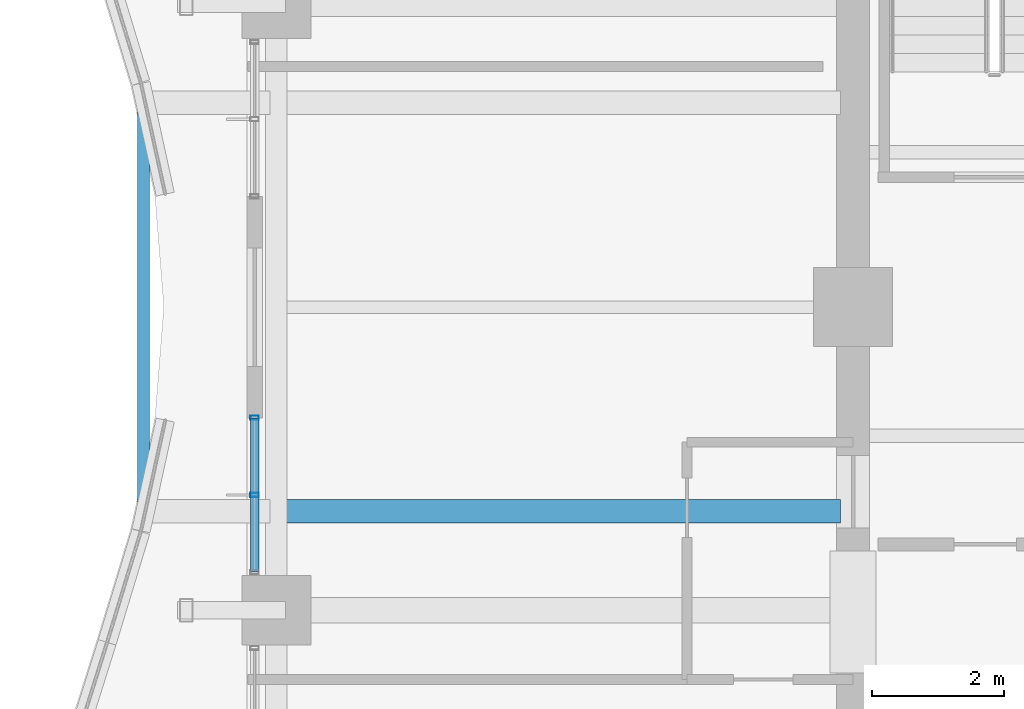
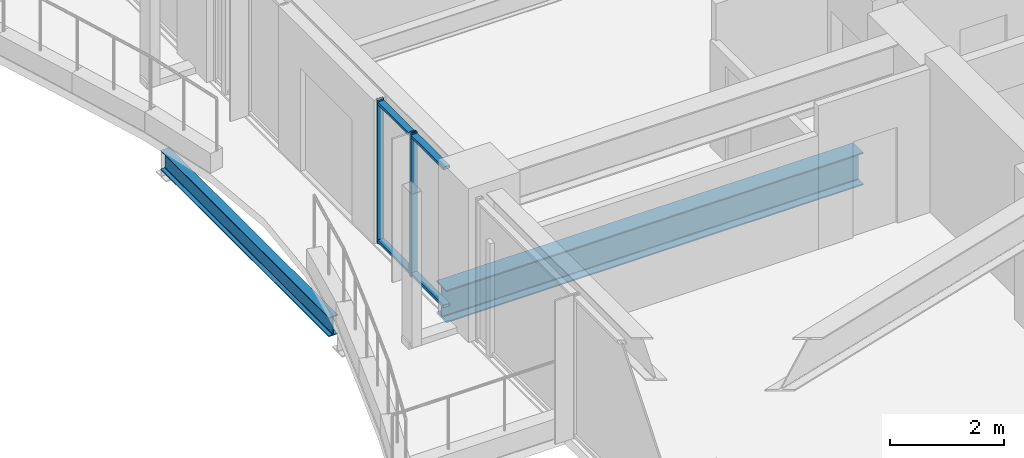
# One storey, part 8 of 35: 4 members, 2 beams, 1 element without a shape of its own.
"""IFC4 building model written with IfcOpenShell, lengths in metres."""

from ifc_helpers import new_model, si_unit, direction, frame, origin, origin_2d, place, context, subcontext, project, spatial, hollow_rectangle, i_section, extrude, material, material_profile, profile_set, type_object, element, aggregate, save


model = new_model("IFC4")

# Units and contexts
model_context = context("Model", 3, precision=1e-05, world=origin(), true_north=direction((0.0, 1.0)))
body_context = subcontext(model_context, "Body", "Model", "MODEL_VIEW")
ifc_project = project(units=[si_unit("LENGTHUNIT", "METRE"), si_unit("AREAUNIT", "SQUARE_METRE"), si_unit("VOLUMEUNIT", "CUBIC_METRE"), si_unit("PLANEANGLEUNIT", "RADIAN"), si_unit("MASSUNIT", "GRAM", prefix="KILO")], contexts=[model_context])

# Site, building, storey
site_placement = place(None, origin())
site = spatial("IfcSite", under=ifc_project, at=site_placement, CompositionType="ELEMENT")
building_placement = place(site_placement, origin())
building = spatial("IfcBuilding", under=site, at=building_placement, Name="Kolvaren Belvedere", CompositionType="ELEMENT")
storey_placement = place(building_placement, frame((0.0, 0.0, 115.10009765625)))
storey = spatial("IfcBuildingStorey", under=building, at=storey_placement, Name="L33", CompositionType="ELEMENT", Elevation=115.10009765625)

# Beams
ifc_material_1 = material(Name="Structural steel ASTM A992 Grade 50", Category="steel")
ifc_material_profile_1 = material_profile(ifc_material_1, i_section(OverallWidth=0.180908203125, OverallDepth=0.4169921875, WebThickness=0.010986328125, FlangeThickness=0.018310546875, FilletRadius=0.013916015625, at=origin_2d()), Name="W16X57")
ifc_profile_set_1 = profile_set([ifc_material_profile_1], Name="Structural steel ASTM A992 Grade 50")
beam_type_1 = type_object("IfcBeamType", Name="BM-EDGE-W16X57", PredefinedType="BEAM", material=ifc_profile_set_1)
beam_1_placement = place(storey_placement, frame((-20.664306640625, -2.9599609375, -0.4287109375), z_axis=(0.0, 1.0, 0.0), x_axis=(-1.0, 0.0, 0.0)))
element("IfcBeam", 1, at=beam_1_placement, inside=storey, type_object=beam_type_1, Name="L33 Balcony Tip Header Beam BAL-W", PredefinedType="BEAM", context=body_context, shape_type="SweptSolid", body=[
    extrude(i_section(OverallWidth=0.180908203125, OverallDepth=0.4169921875, WebThickness=0.010986328125, FlangeThickness=0.018310546875, FilletRadius=0.013916015625, at=origin_2d()), origin(), (0.0, 0.0, 1.0), 5.919921875),
])
ifc_material_2 = material(Name="Structural steel ASTM A992 Grade 50", Category="steel")
ifc_material_profile_2 = material_profile(ifc_material_2, i_section(OverallWidth=0.35498046875, OverallDepth=0.696044921875, WebThickness=0.015380859375, FlangeThickness=0.02490234375, FilletRadius=0.02197265625, at=origin_2d()), Name="W27X146")
ifc_profile_set_2 = profile_set([ifc_material_profile_2], Name="Structural steel ASTM A992 Grade 50")
beam_type_2 = type_object("IfcBeamType", Name="BM-GIRD-W27X146", PredefinedType="BEAM", material=ifc_profile_set_2)
beam_2_placement = place(storey_placement, frame((-10.090087890625, -3.10009765625, -0.568115234375), z_axis=(-1.0, 0.0, 0.0), x_axis=(0.0, -1.0, 0.0)))
element("IfcBeam", 2, at=beam_2_placement, inside=storey, type_object=beam_type_2, Name="L33 Balcony Interior Back-Span Girder BAL-W-1", PredefinedType="BEAM", context=body_context, shape_type="SweptSolid", body=[
    extrude(i_section(OverallWidth=0.35498046875, OverallDepth=0.696044921875, WebThickness=0.015380859375, FlangeThickness=0.02490234375, FilletRadius=0.02197265625, at=origin_2d()), origin(), (0.0, 0.0, 1.0), 8.46484375),
])

# Curtain wall, members
ifc_material_3 = material(Name="Anodised pale-metal aluminium AA 6063-T6", Category="aluminium")
curtain_wall_type = type_object("IfcCurtainWallType", Name="CW-Z3-WAIST", PredefinedType="NOTDEFINED", material=ifc_material_3)
curtain_wall_placement = place(storey_placement, origin())
curtain_wall = element("IfcCurtainWall", 3, at=curtain_wall_placement, inside=storey, type_object=curtain_wall_type, Name="L33 Unitised Curtain Wall FCW-L33-W1-B2", PredefinedType="NOTDEFINED")
ifc_material_4 = material(Name="Anodised pale-metal aluminium AA 6063-T6", Category="aluminium")
ifc_material_profile_3 = material_profile(ifc_material_4, hollow_rectangle(XDim=0.06494140625, YDim=0.1298828125, WallThickness=0.00390625, at=origin_2d()), Name="ALU-MUL-130X65")
ifc_profile_set_3 = profile_set([ifc_material_profile_3], Name="Anodised pale-metal aluminium AA 6063-T6")
member_type_1 = type_object("IfcMemberType", Name="CW-MUL-130", PredefinedType="MULLION", material=ifc_profile_set_3)
member_1_placement = place(storey_placement, frame((-18.97998046875, -2.851318359375, 0.0), z_axis=(0.0, 0.0, 1.0), x_axis=(0.0, 1.0, 0.0)))
member_1 = element("IfcMember", 4, at=member_1_placement, type_object=member_type_1, Name="FCW-L33-W1-B2 Unitised Mullion 2", PredefinedType="MULLION", context=body_context, shape_type="SweptSolid", body=[
    extrude(hollow_rectangle(XDim=0.06494140625, YDim=0.1298828125, WallThickness=0.00390625, at=origin_2d()), origin(), (0.0, 0.0, 1.0), 3.079833984375),
])
member_2_placement = place(storey_placement, frame((-18.97998046875, -1.679931640625, 0.0), z_axis=(0.0, 0.0, 1.0), x_axis=(0.0, 1.0, 0.0)))
member_2 = element("IfcMember", 5, at=member_2_placement, type_object=member_type_1, Name="FCW-L33-W1-B2 Unitised Mullion 3", PredefinedType="MULLION", context=body_context, shape_type="SweptSolid", body=[
    extrude(hollow_rectangle(XDim=0.06494140625, YDim=0.1298828125, WallThickness=0.00390625, at=origin_2d()), origin(), (0.0, 0.0, 1.0), 3.079833984375),
])
ifc_material_5 = material(Name="Anodised pale-metal aluminium AA 6063-T6", Category="aluminium")
ifc_material_profile_4 = material_profile(ifc_material_5, hollow_rectangle(XDim=0.06005859375, YDim=0.1298828125, WallThickness=0.00390625, at=origin_2d()), Name="ALU-TRN-130X60")
ifc_profile_set_4 = profile_set([ifc_material_profile_4], Name="Anodised pale-metal aluminium AA 6063-T6")
member_type_2 = type_object("IfcMemberType", Name="CW-TRN-130", PredefinedType="USERDEFINED", material=ifc_profile_set_4)
member_3_placement = place(storey_placement, frame((-18.97998046875, -4.0224609375, 0.059814453125), z_axis=(0.0, 1.0, 0.0), x_axis=(0.0, 0.0, 1.0)))
member_3 = element("IfcMember", 6, at=member_3_placement, type_object=member_type_2, Name="FCW-L33-W1-B2 Sill Transom", ObjectType="TRANSOM", PredefinedType="USERDEFINED", context=body_context, shape_type="SweptSolid", body=[
    extrude(hollow_rectangle(XDim=0.06005859375, YDim=0.1298828125, WallThickness=0.00390625, at=origin_2d()), origin(), (0.0, 0.0, 1.0), 2.342529296875),
])
member_4_placement = place(storey_placement, frame((-18.97998046875, -4.0224609375, 3.02001953125), z_axis=(0.0, 1.0, 0.0), x_axis=(0.0, 0.0, 1.0)))
member_4 = element("IfcMember", 7, at=member_4_placement, type_object=member_type_2, Name="FCW-L33-W1-B2 Head Transom", ObjectType="TRANSOM", PredefinedType="USERDEFINED", context=body_context, shape_type="SweptSolid", body=[
    extrude(hollow_rectangle(XDim=0.06005859375, YDim=0.1298828125, WallThickness=0.00390625, at=origin_2d()), origin(), (0.0, 0.0, 1.0), 2.342529296875),
])
aggregate(curtain_wall, [member_1, member_2, member_3, member_4])

save(model, "model.ifc")
